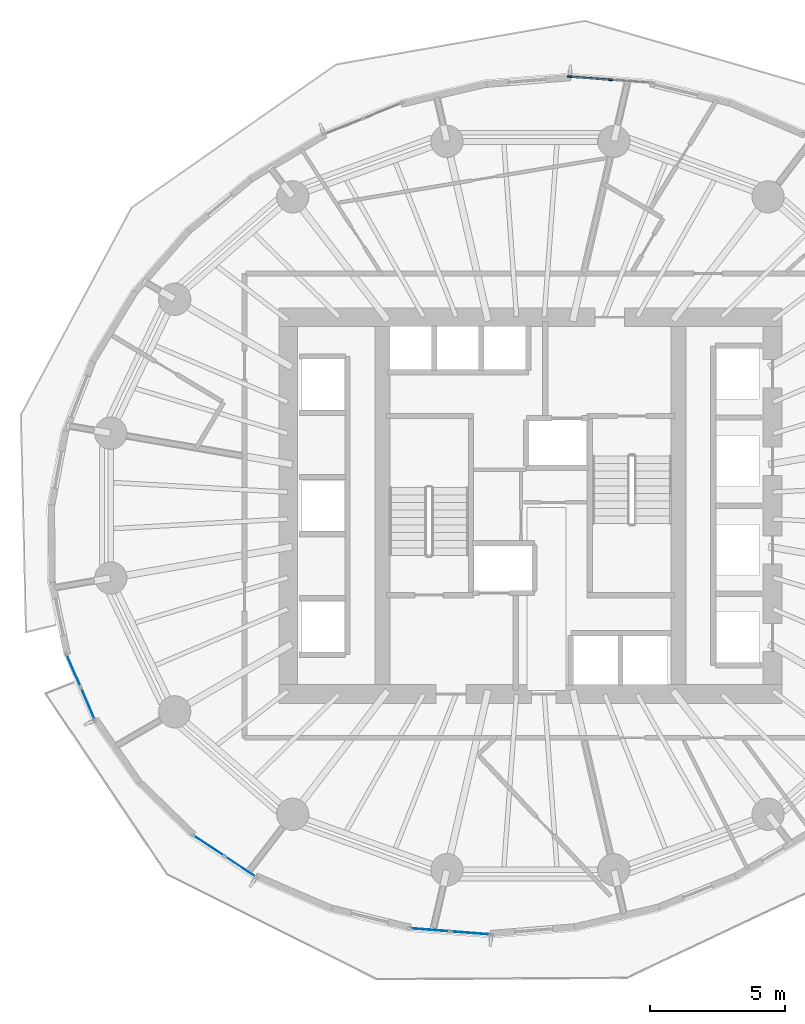
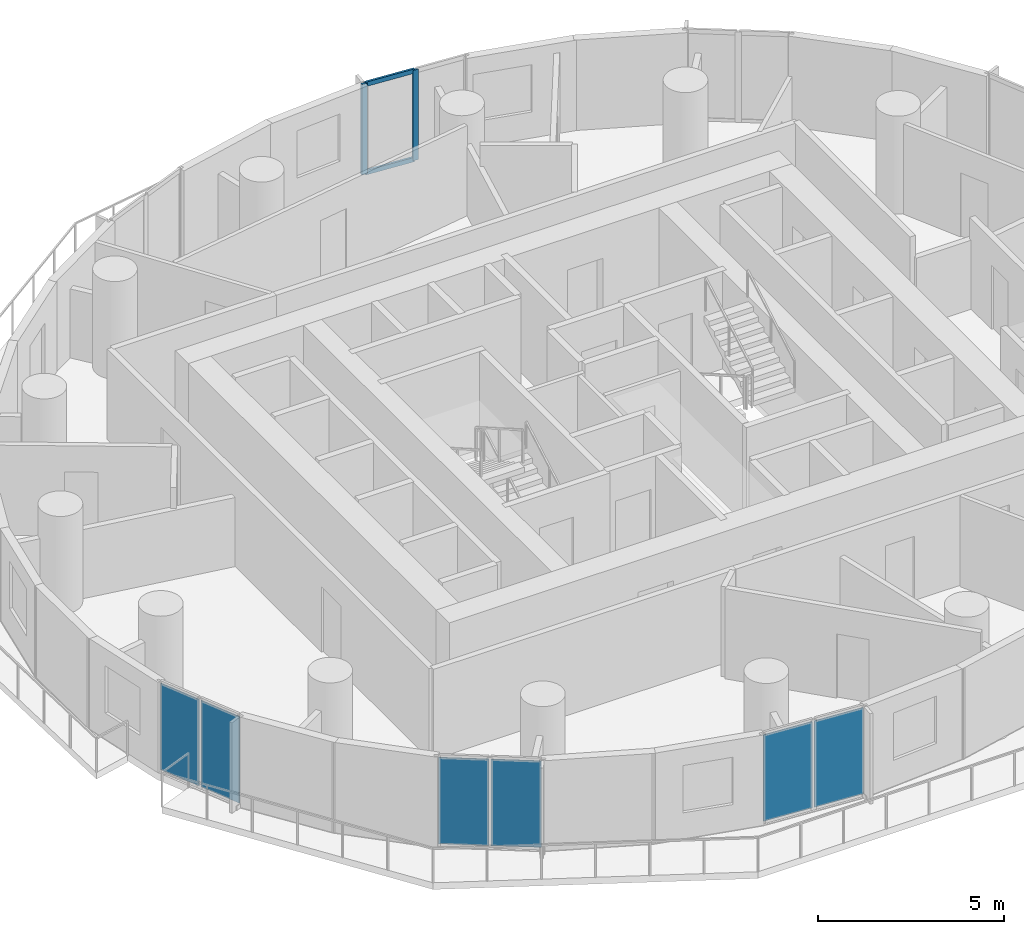
# One storey, part 5 of 14: 6 plates, 4 members, 4 elements without a shape of their own.
"""IFC4 building model written with IfcOpenShell, lengths in metres."""

from ifc_helpers import new_model, si_unit, direction, frame, origin, origin_2d, place, context, subcontext, project, spatial, rectangle, extrude, material, layer, layer_set, material_profile, profile_set, type_object, element, aggregate, save


model = new_model("IFC4")

# Units and contexts
model_context = context("Model", 3, precision=1e-05, world=origin(), true_north=direction((0.0, 1.0)))
body_context = subcontext(model_context, "Body", "Model", "MODEL_VIEW")
ifc_project = project(units=[si_unit("LENGTHUNIT", "METRE"), si_unit("AREAUNIT", "SQUARE_METRE"), si_unit("VOLUMEUNIT", "CUBIC_METRE"), si_unit("PLANEANGLEUNIT", "RADIAN"), si_unit("MASSUNIT", "GRAM", prefix="KILO")], contexts=[model_context])

# Site, building, storey
site_placement = place(None, origin())
site = spatial("IfcSite", under=ifc_project, at=site_placement, CompositionType="ELEMENT")
building_placement = place(site_placement, origin())
building = spatial("IfcBuilding", under=site, at=building_placement, Name="Veldorim Arch Residences", CompositionType="ELEMENT")
storey_placement = place(building_placement, frame((0.0, 0.0, 80.47998046875)))
storey = spatial("IfcBuildingStorey", under=building, at=storey_placement, Name="L23", CompositionType="ELEMENT", Elevation=80.47998046875)

# Curtain wall, members
ifc_material_1 = material(Name="Aluminium", Category="aluminium")
curtain_wall_type = type_object("IfcCurtainWallType", Name="Zone 2 Solar-Control Unitised Curtain Wall", PredefinedType="NOTDEFINED", material=ifc_material_1)
curtain_wall_1_placement = place(storey_placement, origin())
curtain_wall_1 = element("IfcCurtainWall", 1, at=curtain_wall_1_placement, inside=storey, type_object=curtain_wall_type, Name="L23 unitised curtain wall bay 07", PredefinedType="NOTDEFINED")
ifc_material_2 = material(Name="Aluminium", Category="aluminium")
ifc_material_profile_1 = material_profile(ifc_material_2, rectangle(XDim=0.06494140625, YDim=0.1650390625, at=origin_2d()), Name="ALU_MUL_65x165")
ifc_profile_set_1 = profile_set([ifc_material_profile_1], Name="Aluminium")
member_type_1 = type_object("IfcMemberType", Name="Zone 2 Solar-Control Unitised Curtain Wall Mullion 65x165", PredefinedType="MULLION", material=ifc_profile_set_1)
member_1_placement = place(storey_placement, frame((33.45849609375, 39.943115234375, 0.0), z_axis=(0.0, 0.0, 1.0), x_axis=(0.076696498885, 0.997054485502, 0.0)))
member_1 = element("IfcMember", 2, at=member_1_placement, type_object=member_type_1, Name="CW-Z2 mullion 1", PredefinedType="MULLION", context=body_context, shape_type="SweptSolid", body=[
    extrude(rectangle(XDim=0.06494140625, YDim=0.1650390625, at=origin_2d()), origin(), (0.0, 0.0, 1.0), 2.9599609375),
])
member_2_placement = place(storey_placement, frame((34.972412109375, 39.82666015625, 0.0), z_axis=(0.0, 0.0, 1.0), x_axis=(0.076696498885, 0.997054485502, 0.0)))
member_2 = element("IfcMember", 3, at=member_2_placement, type_object=member_type_1, Name="CW-Z2 mullion 2", PredefinedType="MULLION", context=body_context, shape_type="SweptSolid", body=[
    extrude(rectangle(XDim=0.06494140625, YDim=0.1650390625, at=origin_2d()), origin(), (0.0, 0.0, 1.0), 2.9599609375),
])
ifc_material_3 = material(Name="Aluminium", Category="aluminium")
ifc_material_profile_2 = material_profile(ifc_material_3, rectangle(XDim=0.06494140625, YDim=0.14501953125, at=origin_2d()), Name="ALU_TRN_65x145")
ifc_profile_set_2 = profile_set([ifc_material_profile_2], Name="Aluminium")
member_type_2 = type_object("IfcMemberType", Name="Zone 2 Solar-Control Unitised Curtain Wall Transom 65x145", PredefinedType="USERDEFINED", material=ifc_profile_set_2)
member_3_placement = place(storey_placement, frame((33.49072265625, 39.940673828125, 0.032470703125), z_axis=(0.99704954324, -0.076760721237, 0.0), x_axis=(0.076760721237, 0.99704954324, 0.0)))
member_3 = element("IfcMember", 4, at=member_3_placement, type_object=member_type_2, Name="CW-Z2 transom 1.1", ObjectType="TRANSOM", PredefinedType="USERDEFINED", context=body_context, shape_type="SweptSolid", body=[
    extrude(rectangle(XDim=0.06494140625, YDim=0.14501953125, at=origin_2d()), origin(), (0.0, 0.0, 1.0), 1.45361328125),
])
member_4_placement = place(storey_placement, frame((33.49072265625, 39.940673828125, 2.927490234375), z_axis=(0.99704954324, -0.076760721237, 0.0), x_axis=(0.076760721237, 0.99704954324, 0.0)))
member_4 = element("IfcMember", 5, at=member_4_placement, type_object=member_type_2, Name="CW-Z2 transom 1.2", ObjectType="TRANSOM", PredefinedType="USERDEFINED", context=body_context, shape_type="SweptSolid", body=[
    extrude(rectangle(XDim=0.06494140625, YDim=0.14501953125, at=origin_2d()), origin(), (0.0, 0.0, 1.0), 1.45361328125),
])
aggregate(curtain_wall_1, [member_1, member_2, member_3, member_4])

# Curtain wall, plates
curtain_wall_2_placement = place(storey_placement, origin())
curtain_wall_2 = element("IfcCurtainWall", 6, at=curtain_wall_2_placement, inside=storey, type_object=curtain_wall_type, Name="L23 unitised curtain wall bay 19", PredefinedType="NOTDEFINED")
ifc_material_4 = material(Name="Laminated Low-E Glass", Category="glass")
ifc_layer = layer(ifc_material_4, 0.02587890625, Name="Zone 2 Solar-Control Unitised Curtain Wall Glazing Panel 26")
ifc_layer_set = layer_set([ifc_layer], Name="Laminated Low-E Glass")
plate_type = type_object("IfcPlateType", Name="Zone 2 Solar-Control Unitised Curtain Wall Glazing Panel 26", PredefinedType="CURTAIN_PANEL", material=ifc_layer_set)
plate_1_placement = place(storey_placement, frame((15.55322265625, 16.63720703125, 0.06494140625), z_axis=(0.0, 0.0, 1.0), x_axis=(-0.397050688615, 0.917796682643, 0.0)))
plate_1 = element("IfcPlate", 7, at=plate_1_placement, type_object=plate_type, Name="CW-Z2 panel 1.1", PredefinedType="CURTAIN_PANEL", context=body_context, shape_type="SweptSolid", body=[
    extrude(rectangle(XDim=1.28125, YDim=0.02587890625, at=origin_2d()), origin(), (0.0, 0.0, 1.0), 2.830078125),
])
plate_2_placement = place(storey_placement, frame((15.0185546875, 17.872802734375, 0.06494140625), z_axis=(0.0, 0.0, 1.0), x_axis=(-0.397050688615, 0.917796682643, 0.0)))
plate_2 = element("IfcPlate", 8, at=plate_2_placement, type_object=plate_type, Name="CW-Z2 panel 2.1", PredefinedType="CURTAIN_PANEL", context=body_context, shape_type="SweptSolid", body=[
    extrude(rectangle(XDim=1.28125, YDim=0.02587890625, at=origin_2d()), origin(), (0.0, 0.0, 1.0), 2.830078125),
])
aggregate(curtain_wall_2, [plate_1, plate_2])

curtain_wall_3_placement = place(storey_placement, origin())
curtain_wall_3 = element("IfcCurtainWall", 9, at=curtain_wall_3_placement, inside=storey, type_object=curtain_wall_type, Name="L23 unitised curtain wall bay 22", PredefinedType="NOTDEFINED")
plate_3_placement = place(storey_placement, frame((21.222900390625, 10.580322265625, 0.06494140625), z_axis=(0.0, 0.0, 1.0), x_axis=(-0.834172634224, 0.551503414596, 0.0)))
plate_3 = element("IfcPlate", 10, at=plate_3_placement, type_object=plate_type, Name="CW-Z2 panel 1.1", PredefinedType="CURTAIN_PANEL", context=body_context, shape_type="SweptSolid", body=[
    extrude(rectangle(XDim=1.351806640625, YDim=0.02587890625, at=origin_2d()), origin(), (0.0, 0.0, 1.0), 2.830078125),
])
plate_4_placement = place(storey_placement, frame((20.041015625, 11.361572265625, 0.06494140625), z_axis=(0.0, 0.0, 1.0), x_axis=(-0.834172634224, 0.551503414596, 0.0)))
plate_4 = element("IfcPlate", 11, at=plate_4_placement, type_object=plate_type, Name="CW-Z2 panel 2.1", PredefinedType="CURTAIN_PANEL", context=body_context, shape_type="SweptSolid", body=[
    extrude(rectangle(XDim=1.351806640625, YDim=0.02587890625, at=origin_2d()), origin(), (0.0, 0.0, 1.0), 2.830078125),
])
aggregate(curtain_wall_3, [plate_3, plate_4])

curtain_wall_4_placement = place(storey_placement, origin())
curtain_wall_4 = element("IfcCurtainWall", 12, at=curtain_wall_4_placement, inside=storey, type_object=curtain_wall_type, Name="L23 unitised curtain wall bay 25", PredefinedType="NOTDEFINED")
plate_5_placement = place(storey_placement, frame((29.78466796875, 8.115234375, 0.06494140625), z_axis=(0.0, 0.0, 1.0), x_axis=(-0.997054485502, 0.076696498885, 0.0)))
plate_5 = element("IfcPlate", 13, at=plate_5_placement, type_object=plate_type, Name="CW-Z2 panel 1.1", PredefinedType="CURTAIN_PANEL", context=body_context, shape_type="SweptSolid", body=[
    extrude(rectangle(XDim=1.453369140625, YDim=0.02587890625, at=origin_2d()), origin(), (0.0, 0.0, 1.0), 2.830078125),
])
plate_6_placement = place(storey_placement, frame((28.270751953125, 8.231689453125, 0.06494140625), z_axis=(0.0, 0.0, 1.0), x_axis=(-0.997054485502, 0.076696498885, 0.0)))
plate_6 = element("IfcPlate", 14, at=plate_6_placement, type_object=plate_type, Name="CW-Z2 panel 2.1", PredefinedType="CURTAIN_PANEL", context=body_context, shape_type="SweptSolid", body=[
    extrude(rectangle(XDim=1.453369140625, YDim=0.02587890625, at=origin_2d()), origin(), (0.0, 0.0, 1.0), 2.830078125),
])
aggregate(curtain_wall_4, [plate_5, plate_6])

save(model, "model.ifc")
